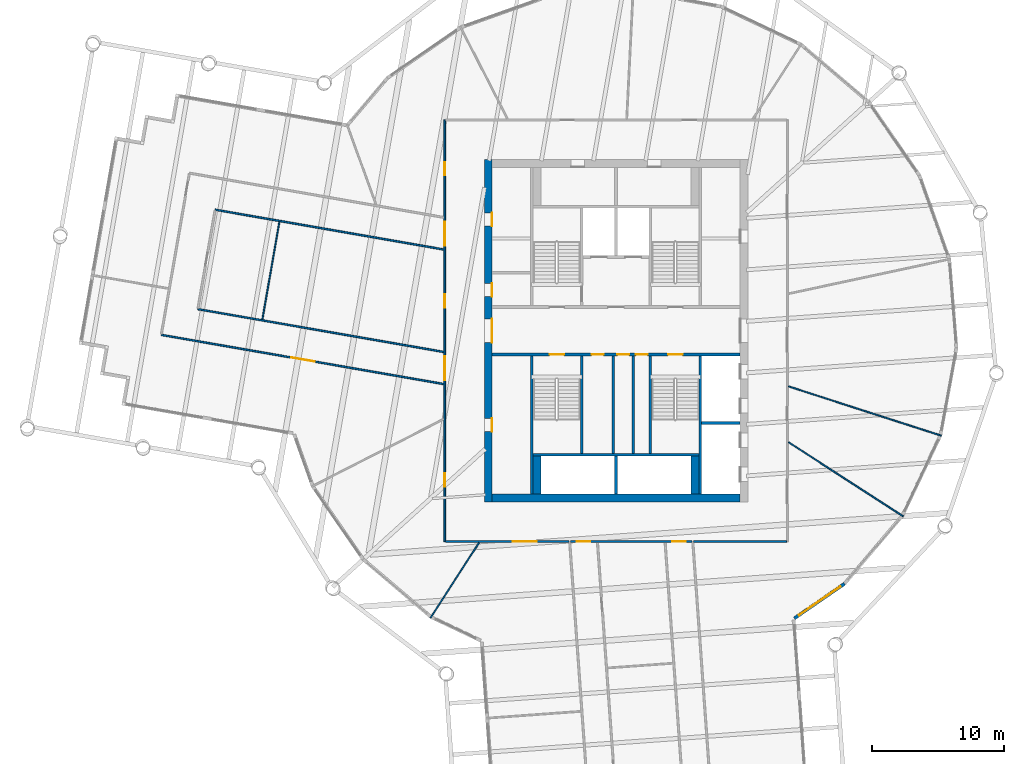
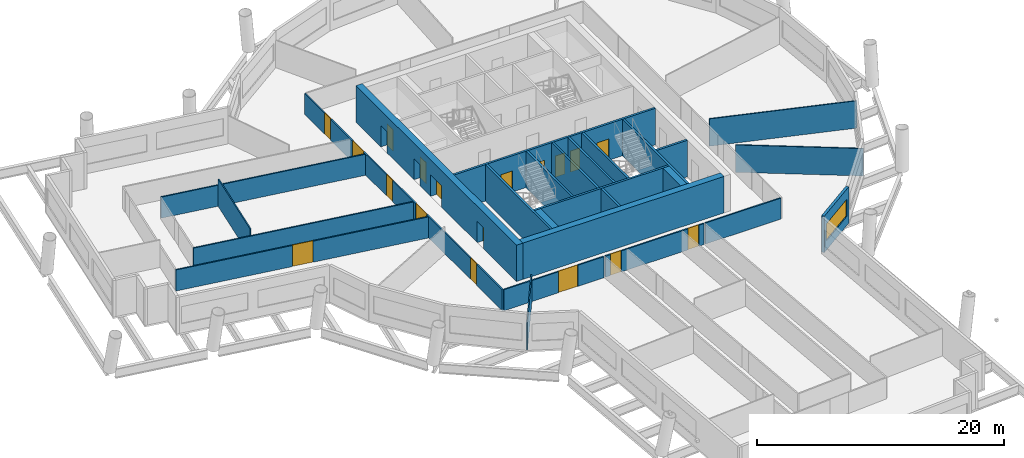
# One storey, part 4 of 11: 26 walls, 18 doors, 1 window, 19 openings.
"""IFC4 building model written with IfcOpenShell, lengths in metres."""

from ifc_helpers import new_model, si_unit, direction, frame, frame_2d, origin, place, context, subcontext, project, spatial, rectangle, extrude, material, layer, layer_set, type_object, element, fill, save


model = new_model("IFC4")

# Units and contexts
model_context = context("Model", 3, precision=1e-05, world=origin(), true_north=direction((0.0, 1.0)))
body_context = subcontext(model_context, "Body", "Model", "MODEL_VIEW")
ifc_project = project(units=[si_unit("LENGTHUNIT", "METRE"), si_unit("AREAUNIT", "SQUARE_METRE"), si_unit("VOLUMEUNIT", "CUBIC_METRE"), si_unit("PLANEANGLEUNIT", "RADIAN"), si_unit("MASSUNIT", "GRAM", prefix="KILO")], contexts=[model_context])

# Site, building, storey
site_placement = place(None, origin())
site = spatial("IfcSite", under=ifc_project, at=site_placement, CompositionType="ELEMENT")
building_placement = place(site_placement, origin())
building = spatial("IfcBuilding", under=site, at=building_placement, Name="Tarsis Ring Headquarters", CompositionType="ELEMENT")
storey_placement = place(building_placement, frame((0.0, 0.0, 243.300048828125)))
storey = spatial("IfcBuildingStorey", under=building, at=storey_placement, Name="L57", CompositionType="ELEMENT", Elevation=243.300048828125)

# Walls
ifc_material_1 = material(Name="Blockwork", Category="masonry")
ifc_layer_1 = layer(ifc_material_1, 0.199951171875)
ifc_layer_set_1 = layer_set([ifc_layer_1], Name="Core blockwork wall 200")
wall_type_1 = type_object("IfcWallType", Name="Core blockwork wall 200", PredefinedType="PARTITIONING", material=ifc_layer_set_1)
for number, where, z_axis, x_axis, name in (
    (1, (-0.199951171875, -9.300048828125, 0.0), (0.0, 0.0, 1.0), (0.0, 1.0, 0.0), "Core partition SV1"),
    (2, (1.300048828125, -9.300048828125, 0.0), (0.0, 0.0, 1.0), (0.0, 1.0, 0.0), "Core partition SV2"),
):
    element("IfcWall", number, at=place(storey_placement, frame(where, z_axis=z_axis, x_axis=x_axis)), inside=storey, type_object=wall_type_1, Name=name, PredefinedType="PARTITIONING", context=body_context, shape_type="SweptSolid", body=[
        extrude(rectangle(XDim=7.400146484375, YDim=0.199951171875, at=frame_2d((3.7001953125, 0.0))), origin(), (0.0, 0.0, 1.0), 3.599853515625),
    ])

# Wall, openings, doors
ifc_material_2 = material(Name="Concrete C50/60", Category="concrete")
ifc_layer_2 = layer(ifc_material_2, 0.60009765625)
ifc_layer_set_2 = layer_set([ifc_layer_2], Name="Core wall 600 C50/60")
wall_type_2 = type_object("IfcWallType", Name="Core wall 600 C50/60", PredefinedType="SHEAR", material=ifc_layer_set_2)
wall_1_placement = place(storey_placement, frame((-9.699951171875, -13.0, 0.0), z_axis=(0.0, 0.0, 1.0), x_axis=(0.0, 1.0, 0.0)))
wall_1 = element("IfcWall", 3, at=wall_1_placement, inside=storey, type_object=wall_type_2, Name="Core wall OW", PredefinedType="SHEAR", context=body_context, shape_type="SweptSolid", body=[
    extrude(rectangle(XDim=26.0, YDim=0.60009765625, at=frame_2d((13.0, 0.0))), origin(), (0.0, 0.0, 1.0), 3.599853515625),
])
opening_1_placement = place(wall_1_placement, frame((5.35009765625, 0.0, 0.0)))
opening_1 = element("IfcOpeningElement", 4, at=opening_1_placement, cuts=wall_1, Name="Opening L57-C01", PredefinedType="OPENING", context=body_context, shape_type="SweptSolid", body=[
    extrude(rectangle(XDim=1.0, YDim=2.10009765625, at=frame_2d((0.5, 1.050048828125))), frame((0.0, 0.31005859375, 0.0), z_axis=(0.0, -1.0, 0.0), x_axis=(1.0, 0.0, 0.0)), (0.0, 0.0, 1.0), 0.6201171875),
])
opening_2_placement = place(wall_1_placement, frame((12.10009765625, 0.0, 0.0)))
opening_2 = element("IfcOpeningElement", 5, at=opening_2_placement, cuts=wall_1, Name="Opening L57-C02", PredefinedType="OPENING", context=body_context, shape_type="SweptSolid", body=[
    extrude(rectangle(XDim=1.800048828125, YDim=2.10009765625, at=frame_2d((0.89990234375, 1.050048828125))), frame((0.0, 0.31005859375, 0.0), z_axis=(0.0, -1.0, 0.0), x_axis=(1.0, 0.0, 0.0)), (0.0, 0.0, 1.0), 0.6201171875),
])
opening_3_placement = place(wall_1_placement, frame((15.60009765625, 0.0, 0.0)))
opening_3 = element("IfcOpeningElement", 6, at=opening_3_placement, cuts=wall_1, Name="Opening L57-C03", PredefinedType="OPENING", context=body_context, shape_type="SweptSolid", body=[
    extrude(rectangle(XDim=1.0, YDim=2.10009765625, at=frame_2d((0.5, 1.050048828125))), frame((0.0, 0.31005859375, 0.0), z_axis=(0.0, -1.0, 0.0), x_axis=(1.0, 0.0, 0.0)), (0.0, 0.0, 1.0), 0.6201171875),
])
opening_4_placement = place(wall_1_placement, frame((20.949951171875, 0.0, 0.0)))
opening_4 = element("IfcOpeningElement", 7, at=opening_4_placement, cuts=wall_1, Name="Opening L57-C04", PredefinedType="OPENING", context=body_context, shape_type="SweptSolid", body=[
    extrude(rectangle(XDim=1.0, YDim=2.10009765625, at=frame_2d((0.5, 1.050048828125))), frame((0.0, 0.31005859375, 0.0), z_axis=(0.0, -1.0, 0.0), x_axis=(1.0, 0.0, 0.0)), (0.0, 0.0, 1.0), 0.6201171875),
])
ifc_material_3 = material(Name="Steel S355", Category="steel")
door_type_1 = type_object("IfcDoorType", Name="Core entry door 1800x2100", OperationType="DOUBLE_DOOR_SINGLE_SWING", PredefinedType="DOOR", material=ifc_material_3)
door_1_placement = place(opening_2_placement, origin())
door_1 = element("IfcDoor", 8, at=door_1_placement, inside=storey, type_object=door_type_1, Name="Core entry door L57", OperationType="DOUBLE_DOOR_SINGLE_SWING", OverallHeight=2.10009765625, OverallWidth=1.800048828125, PredefinedType="DOOR", context=body_context, shape_type="SweptSolid", body=[
    extrude(rectangle(XDim=1.800048828125, YDim=2.10009765625, at=frame_2d((0.89990234375, 1.050048828125))), frame((0.0, -0.25, 0.0), z_axis=(0.0, -1.0, 0.0), x_axis=(1.0, 0.0, 0.0)), (0.0, 0.0, 1.0), 0.050048828125),
])
fill(opening_2, door_1)
door_type_2 = type_object("IfcDoorType", Name="Core room door 1000x2100", OperationType="SINGLE_SWING_LEFT", PredefinedType="DOOR", material=ifc_material_3)
door_2_placement = place(opening_1_placement, origin())
door_2 = element("IfcDoor", 9, at=door_2_placement, inside=storey, type_object=door_type_2, Name="Core room door L57", OperationType="SINGLE_SWING_LEFT", OverallHeight=2.10009765625, OverallWidth=1.0, PredefinedType="DOOR", context=body_context, shape_type="SweptSolid", body=[
    extrude(rectangle(XDim=1.0, YDim=2.10009765625, at=frame_2d((0.5, 1.050048828125))), frame((0.0, -0.25, 0.0), z_axis=(0.0, -1.0, 0.0), x_axis=(1.0, 0.0, 0.0)), (0.0, 0.0, 1.0), 0.050048828125),
])
fill(opening_1, door_2)
door_3_placement = place(opening_3_placement, origin())
door_3 = element("IfcDoor", 10, at=door_3_placement, inside=storey, type_object=door_type_2, Name="Core room door L57", OperationType="SINGLE_SWING_LEFT", OverallHeight=2.10009765625, OverallWidth=1.0, PredefinedType="DOOR", context=body_context, shape_type="SweptSolid", body=[
    extrude(rectangle(XDim=1.0, YDim=2.10009765625, at=frame_2d((0.5, 1.050048828125))), frame((0.0, -0.25, 0.0), z_axis=(0.0, -1.0, 0.0), x_axis=(1.0, 0.0, 0.0)), (0.0, 0.0, 1.0), 0.050048828125),
])
fill(opening_3, door_3)
door_4_placement = place(opening_4_placement, origin())
door_4 = element("IfcDoor", 11, at=door_4_placement, inside=storey, type_object=door_type_2, Name="Core room door L57", OperationType="SINGLE_SWING_LEFT", OverallHeight=2.10009765625, OverallWidth=1.0, PredefinedType="DOOR", context=body_context, shape_type="SweptSolid", body=[
    extrude(rectangle(XDim=1.0, YDim=2.10009765625, at=frame_2d((0.5, 1.050048828125))), frame((0.0, -0.25, 0.0), z_axis=(0.0, -1.0, 0.0), x_axis=(1.0, 0.0, 0.0)), (0.0, 0.0, 1.0), 0.050048828125),
])
fill(opening_4, door_4)

# Walls
wall_2_placement = place(storey_placement, frame((-9.39990234375, -12.699951171875, 0.0), z_axis=(0.0, 0.0, 1.0), x_axis=(1.0, 0.0, 0.0)))
element("IfcWall", 12, at=wall_2_placement, inside=storey, type_object=wall_type_2, Name="Core wall OS", PredefinedType="SHEAR", context=body_context, shape_type="SweptSolid", body=[
    extrude(rectangle(XDim=18.7998046875, YDim=0.60009765625, at=frame_2d((9.39990234375, 0.0))), origin(), (0.0, 0.0, 1.0), 3.599853515625),
])
ifc_material_4 = material(Name="Gypsum board on steel studs", Category="steel")
ifc_layer_3 = layer(ifc_material_4, 0.10009765625)
ifc_layer_set_3 = layer_set([ifc_layer_3], Name="FL partition 100 unrated")
wall_type_3 = type_object("IfcWallType", Name="FL partition 100 unrated", PredefinedType="PARTITIONING", material=ifc_layer_set_3)
wall_3_placement = place(storey_placement, frame((13.076171875, -4.218505859375, 0.0), z_axis=(0.0, 0.0, 1.0), x_axis=(0.951704470972, -0.307015634671, 0.0)))
element("IfcWall", 13, at=wall_3_placement, inside=storey, type_object=wall_type_3, Name="Partition PW3", PredefinedType="PARTITIONING", context=body_context, shape_type="SweptSolid", body=[
    extrude(rectangle(XDim=12.2080078125, YDim=0.10009765625, at=frame_2d((6.10400390625, 0.0))), origin(), (0.0, 0.0, 1.0), 2.699951171875),
])
wall_4_placement = place(storey_placement, frame((13.083984375, -8.4580078125, 0.0), z_axis=(0.0, 0.0, 1.0), x_axis=(0.839810141538, -0.542880213463, 0.0)))
element("IfcWall", 14, at=wall_4_placement, inside=storey, type_object=wall_type_3, Name="Partition PW3", PredefinedType="PARTITIONING", context=body_context, shape_type="SweptSolid", body=[
    extrude(rectangle(XDim=10.3681640625, YDim=0.10009765625, at=frame_2d((5.18408203125, 0.0))), origin(), (0.0, 0.0, 1.0), 2.699951171875),
])
wall_5_placement = place(storey_placement, frame((-26.8408203125, 0.858154296875, 0.0), z_axis=(0.0, 0.0, 1.0), x_axis=(0.171580938897, 0.985170026649, 0.0)))
element("IfcWall", 15, at=wall_5_placement, inside=storey, type_object=wall_type_3, Name="Partition PW3", PredefinedType="PARTITIONING", context=body_context, shape_type="SweptSolid", body=[
    extrude(rectangle(XDim=7.52001953125, YDim=0.10009765625, at=frame_2d((3.760009765625, 0.0))), origin(), (0.0, 0.0, 1.0), 2.699951171875),
])
wall_6_placement = place(storey_placement, frame((-14.086669921875, -21.791259765625, 0.0), z_axis=(0.0, 0.0, 1.0), x_axis=(0.542889267612, 0.839804288577, 0.0)))
element("IfcWall", 16, at=wall_6_placement, inside=storey, type_object=wall_type_3, Name="Partition PW3", PredefinedType="PARTITIONING", context=body_context, shape_type="SweptSolid", body=[
    extrude(rectangle(XDim=6.7958984375, YDim=0.10009765625, at=frame_2d((3.39794921875, 0.0))), origin(), (0.0, 0.0, 1.0), 2.699951171875),
])

# Wall, openings, doors
ifc_layer_4 = layer(ifc_material_4, 0.125)
ifc_layer_set_4 = layer_set([ifc_layer_4], Name="FL partition 125 EI 60 H2080")
wall_type_4 = type_object("IfcWallType", Name="FL partition 125 EI 60 H2080", PredefinedType="PARTITIONING", material=ifc_layer_set_4)
wall_7_placement = place(storey_placement, frame((-13.0, -16.0, 0.0), z_axis=(0.0, 0.0, 1.0), x_axis=(0.0, 1.0, 0.0)))
wall_7 = element("IfcWall", 17, at=wall_7_placement, inside=storey, type_object=wall_type_4, Name="Partition PW1H208", PredefinedType="PARTITIONING", context=body_context, shape_type="SweptSolid", body=[
    extrude(rectangle(XDim=32.0, YDim=0.125, at=frame_2d((16.0, 0.0))), origin(), (0.0, 0.0, 1.0), 2.079833984375),
])
opening_5_placement = place(wall_7_placement, frame((27.7939453125, 0.0, 0.0)))
opening_5 = element("IfcOpeningElement", 18, at=opening_5_placement, cuts=wall_7, Name="Opening D57.03", PredefinedType="OPENING", context=body_context, shape_type="SweptSolid", body=[
    extrude(rectangle(XDim=1.0, YDim=2.10009765625, at=frame_2d((0.5, 1.050048828125))), frame((0.0, 0.072509765625, 0.0), z_axis=(0.0, -1.0, 0.0), x_axis=(1.0, 0.0, 0.0)), (0.0, 0.0, 1.0), 0.14501953125),
])
opening_6_placement = place(wall_7_placement, frame((4.1708984375, 0.0, 0.0)))
opening_6 = element("IfcOpeningElement", 19, at=opening_6_placement, cuts=wall_7, Name="Opening D57.13", PredefinedType="OPENING", context=body_context, shape_type="SweptSolid", body=[
    extrude(rectangle(XDim=1.0, YDim=2.10009765625, at=frame_2d((0.5, 1.050048828125))), frame((0.0, 0.072509765625, 0.0), z_axis=(0.0, -1.0, 0.0), x_axis=(1.0, 0.0, 0.0)), (0.0, 0.0, 1.0), 0.14501953125),
])
opening_7_placement = place(wall_7_placement, frame((17.76416015625, 0.0, 0.0)))
opening_7 = element("IfcOpeningElement", 20, at=opening_7_placement, cuts=wall_7, Name="Opening D57.14", PredefinedType="OPENING", context=body_context, shape_type="SweptSolid", body=[
    extrude(rectangle(XDim=1.0, YDim=2.10009765625, at=frame_2d((0.5, 1.050048828125))), frame((0.0, 0.072509765625, 0.0), z_axis=(0.0, -1.0, 0.0), x_axis=(1.0, 0.0, 0.0)), (0.0, 0.0, 1.0), 0.14501953125),
])
opening_8_placement = place(wall_7_placement, frame((12.258544921875, 0.0, 0.0)))
opening_8 = element("IfcOpeningElement", 21, at=opening_8_placement, cuts=wall_7, Name="Opening D57.20", PredefinedType="OPENING", context=body_context, shape_type="SweptSolid", body=[
    extrude(rectangle(XDim=1.800048828125, YDim=2.10009765625, at=frame_2d((0.89990234375, 1.050048828125))), frame((0.0, 0.072509765625, 0.0), z_axis=(0.0, -1.0, 0.0), x_axis=(1.0, 0.0, 0.0)), (0.0, 0.0, 1.0), 0.14501953125),
])
opening_9_placement = place(wall_7_placement, frame((22.469970703125, 0.0, 0.0)))
opening_9 = element("IfcOpeningElement", 22, at=opening_9_placement, cuts=wall_7, Name="Opening D57.21", PredefinedType="OPENING", context=body_context, shape_type="SweptSolid", body=[
    extrude(rectangle(XDim=1.800048828125, YDim=2.10009765625, at=frame_2d((0.89990234375, 1.050048828125))), frame((0.0, 0.072509765625, 0.0), z_axis=(0.0, -1.0, 0.0), x_axis=(1.0, 0.0, 0.0)), (0.0, 0.0, 1.0), 0.14501953125),
])
ifc_material_5 = material(Name="Fire-rated timber door leaf in steel frame", Category="steel")
door_type_3 = type_object("IfcDoorType", Name="FL door FD60-1000", OperationType="NOTDEFINED", PredefinedType="DOOR", material=ifc_material_5)
door_5_placement = place(opening_5_placement, origin())
door_5 = element("IfcDoor", 23, at=door_5_placement, inside=storey, type_object=door_type_3, Name="Door D57.03", OperationType="SINGLE_SWING_RIGHT", OverallHeight=2.10009765625, OverallWidth=1.0, PredefinedType="DOOR", context=body_context, shape_type="SweptSolid", body=[
    extrude(rectangle(XDim=1.0, YDim=2.10009765625, at=frame_2d((0.5, 1.050048828125))), frame((0.0, 0.02490234375, 0.0), z_axis=(0.0, -1.0, 0.0), x_axis=(1.0, 0.0, 0.0)), (0.0, 0.0, 1.0), 0.050048828125),
])
fill(opening_5, door_5)
door_6_placement = place(opening_6_placement, origin())
door_6 = element("IfcDoor", 24, at=door_6_placement, inside=storey, type_object=door_type_3, Name="Door D57.13", OperationType="SINGLE_SWING_RIGHT", OverallHeight=2.10009765625, OverallWidth=1.0, PredefinedType="DOOR", context=body_context, shape_type="SweptSolid", body=[
    extrude(rectangle(XDim=1.0, YDim=2.10009765625, at=frame_2d((0.5, 1.050048828125))), frame((0.0, 0.02490234375, 0.0), z_axis=(0.0, -1.0, 0.0), x_axis=(1.0, 0.0, 0.0)), (0.0, 0.0, 1.0), 0.050048828125),
])
fill(opening_6, door_6)
door_7_placement = place(opening_7_placement, origin())
door_7 = element("IfcDoor", 25, at=door_7_placement, inside=storey, type_object=door_type_3, Name="Door D57.14", OperationType="SINGLE_SWING_LEFT", OverallHeight=2.10009765625, OverallWidth=1.0, PredefinedType="DOOR", context=body_context, shape_type="SweptSolid", body=[
    extrude(rectangle(XDim=1.0, YDim=2.10009765625, at=frame_2d((0.5, 1.050048828125))), frame((0.0, 0.02490234375, 0.0), z_axis=(0.0, -1.0, 0.0), x_axis=(1.0, 0.0, 0.0)), (0.0, 0.0, 1.0), 0.050048828125),
])
fill(opening_7, door_7)
door_type_4 = type_object("IfcDoorType", Name="FL door FD60-1800", OperationType="DOUBLE_DOOR_SINGLE_SWING", PredefinedType="DOOR", material=ifc_material_5)
door_8_placement = place(opening_8_placement, origin())
door_8 = element("IfcDoor", 26, at=door_8_placement, inside=storey, type_object=door_type_4, Name="Door D57.20", OperationType="DOUBLE_DOOR_SINGLE_SWING", OverallHeight=2.10009765625, OverallWidth=1.800048828125, PredefinedType="DOOR", context=body_context, shape_type="SweptSolid", body=[
    extrude(rectangle(XDim=1.800048828125, YDim=2.10009765625, at=frame_2d((0.89990234375, 1.050048828125))), frame((0.0, 0.02490234375, 0.0), z_axis=(0.0, -1.0, 0.0), x_axis=(1.0, 0.0, 0.0)), (0.0, 0.0, 1.0), 0.050048828125),
])
fill(opening_8, door_8)
door_9_placement = place(opening_9_placement, origin())
door_9 = element("IfcDoor", 27, at=door_9_placement, inside=storey, type_object=door_type_4, Name="Door D57.21", OperationType="DOUBLE_DOOR_SINGLE_SWING", OverallHeight=2.10009765625, OverallWidth=1.800048828125, PredefinedType="DOOR", context=body_context, shape_type="SweptSolid", body=[
    extrude(rectangle(XDim=1.800048828125, YDim=2.10009765625, at=frame_2d((0.89990234375, 1.050048828125))), frame((0.0, 0.02490234375, 0.0), z_axis=(0.0, -1.0, 0.0), x_axis=(1.0, 0.0, 0.0)), (0.0, 0.0, 1.0), 0.050048828125),
])
fill(opening_9, door_9)

# Wall, opening, door
wall_8_placement = place(storey_placement, frame((-12.93994140625, -16.0, 0.0), z_axis=(0.0, 0.0, 1.0), x_axis=(1.0, 0.0, 0.0)))
wall_8 = element("IfcWall", 28, at=wall_8_placement, inside=storey, type_object=wall_type_4, Name="Partition PW1H208", PredefinedType="PARTITIONING", context=body_context, shape_type="SweptSolid", body=[
    extrude(rectangle(XDim=9.358154296875, YDim=0.125, at=frame_2d((4.67919921875, 0.0))), origin(), (0.0, 0.0, 1.0), 2.079833984375),
])
opening_10_placement = place(wall_8_placement, frame((5.108642578125, 0.0, 0.0)))
opening_10 = element("IfcOpeningElement", 29, at=opening_10_placement, cuts=wall_8, Name="Opening D57.12", PredefinedType="OPENING", context=body_context, shape_type="SweptSolid", body=[
    extrude(rectangle(XDim=1.800048828125, YDim=2.10009765625, at=frame_2d((0.89990234375, 1.050048828125))), frame((0.0, 0.072509765625, 0.0), z_axis=(0.0, -1.0, 0.0), x_axis=(1.0, 0.0, 0.0)), (0.0, 0.0, 1.0), 0.14501953125),
])
door_10_placement = place(opening_10_placement, origin())
door_10 = element("IfcDoor", 30, at=door_10_placement, inside=storey, type_object=door_type_4, Name="Door D57.12", OperationType="DOUBLE_DOOR_SINGLE_SWING", OverallHeight=2.10009765625, OverallWidth=1.800048828125, PredefinedType="DOOR", context=body_context, shape_type="SweptSolid", body=[
    extrude(rectangle(XDim=1.800048828125, YDim=2.10009765625, at=frame_2d((0.89990234375, 1.050048828125))), frame((0.0, 0.02490234375, 0.0), z_axis=(0.0, -1.0, 0.0), x_axis=(1.0, 0.0, 0.0)), (0.0, 0.0, 1.0), 0.050048828125),
])
fill(opening_10, door_10)

# Wall, openings, doors
wall_9_placement = place(storey_placement, frame((-3.452392578125, -16.0, 0.0), z_axis=(0.0, 0.0, 1.0), x_axis=(1.0, 0.0, 0.0)))
wall_9 = element("IfcWall", 31, at=wall_9_placement, inside=storey, type_object=wall_type_4, Name="Partition PW1H208", PredefinedType="PARTITIONING", context=body_context, shape_type="SweptSolid", body=[
    extrude(rectangle(XDim=9.214599609375, YDim=0.125, at=frame_2d((4.607421875, 0.0))), origin(), (0.0, 0.0, 1.0), 2.079833984375),
])
opening_11_placement = place(wall_9_placement, frame((0.485595703125, 0.0, 0.0)))
opening_11 = element("IfcOpeningElement", 32, at=opening_11_placement, cuts=wall_9, Name="Opening D57.18", PredefinedType="OPENING", context=body_context, shape_type="SweptSolid", body=[
    extrude(rectangle(XDim=1.0, YDim=2.10009765625, at=frame_2d((0.5, 1.050048828125))), frame((0.0, 0.072509765625, 0.0), z_axis=(0.0, -1.0, 0.0), x_axis=(1.0, 0.0, 0.0)), (0.0, 0.0, 1.0), 0.14501953125),
])
opening_12_placement = place(wall_9_placement, frame((7.724365234375, 0.0, 0.0)))
opening_12 = element("IfcOpeningElement", 33, at=opening_12_placement, cuts=wall_9, Name="Opening D57.19", PredefinedType="OPENING", context=body_context, shape_type="SweptSolid", body=[
    extrude(rectangle(XDim=1.0, YDim=2.10009765625, at=frame_2d((0.5, 1.050048828125))), frame((0.0, 0.072509765625, 0.0), z_axis=(0.0, -1.0, 0.0), x_axis=(1.0, 0.0, 0.0)), (0.0, 0.0, 1.0), 0.14501953125),
])
door_11_placement = place(opening_11_placement, origin())
door_11 = element("IfcDoor", 34, at=door_11_placement, inside=storey, type_object=door_type_3, Name="Door D57.18", OperationType="SINGLE_SWING_LEFT", OverallHeight=2.10009765625, OverallWidth=1.0, PredefinedType="DOOR", context=body_context, shape_type="SweptSolid", body=[
    extrude(rectangle(XDim=1.0, YDim=2.10009765625, at=frame_2d((0.5, 1.050048828125))), frame((0.0, 0.02490234375, 0.0), z_axis=(0.0, -1.0, 0.0), x_axis=(1.0, 0.0, 0.0)), (0.0, 0.0, 1.0), 0.050048828125),
])
fill(opening_11, door_11)
door_12_placement = place(opening_12_placement, origin())
door_12 = element("IfcDoor", 35, at=door_12_placement, inside=storey, type_object=door_type_3, Name="Door D57.19", OperationType="SINGLE_SWING_RIGHT", OverallHeight=2.10009765625, OverallWidth=1.0, PredefinedType="DOOR", context=body_context, shape_type="SweptSolid", body=[
    extrude(rectangle(XDim=1.0, YDim=2.10009765625, at=frame_2d((0.5, 1.050048828125))), frame((0.0, 0.02490234375, 0.0), z_axis=(0.0, -1.0, 0.0), x_axis=(1.0, 0.0, 0.0)), (0.0, 0.0, 1.0), 0.050048828125),
])
fill(opening_12, door_12)

# Wall
wall_10_placement = place(storey_placement, frame((5.8916015625, -16.0, 0.0), z_axis=(0.0, 0.0, 1.0), x_axis=(1.0, 0.0, 0.0)))
element("IfcWall", 36, at=wall_10_placement, inside=storey, type_object=wall_type_4, Name="Partition PW1H208", PredefinedType="PARTITIONING", context=body_context, shape_type="SweptSolid", body=[
    extrude(rectangle(XDim=7.04638671875, YDim=0.125, at=frame_2d((3.523193359375, 0.0))), origin(), (0.0, 0.0, 1.0), 2.079833984375),
])

# Wall, opening, door
wall_11_placement = place(storey_placement, frame((-34.515380859375, -0.312255859375, 0.0), z_axis=(0.0, 0.0, 1.0), x_axis=(0.985168592237, -0.171589174687, 0.0)))
wall_11 = element("IfcWall", 37, at=wall_11_placement, inside=storey, type_object=wall_type_4, Name="Partition PW1H208", PredefinedType="PARTITIONING", context=body_context, shape_type="SweptSolid", body=[
    extrude(rectangle(XDim=21.76904296875, YDim=0.125, at=frame_2d((10.884521484375, 0.0))), origin(), (0.0, 0.0, 1.0), 2.079833984375),
])
opening_13_placement = place(wall_11_placement, frame((10.019775390625, 0.0, 0.0)))
opening_13 = element("IfcOpeningElement", 38, at=opening_13_placement, cuts=wall_11, Name="Opening D57.01", PredefinedType="OPENING", context=body_context, shape_type="SweptSolid", body=[
    extrude(rectangle(XDim=1.800048828125, YDim=2.10009765625, at=frame_2d((0.89990234375, 1.050048828125))), frame((0.0, 0.072509765625, 0.0), z_axis=(0.0, -1.0, 0.0), x_axis=(1.0, 0.0, 0.0)), (0.0, 0.0, 1.0), 0.14501953125),
])
door_13_placement = place(opening_13_placement, origin())
door_13 = element("IfcDoor", 39, at=door_13_placement, inside=storey, type_object=door_type_4, Name="Door D57.01", OperationType="DOUBLE_DOOR_SINGLE_SWING", OverallHeight=2.10009765625, OverallWidth=1.800048828125, PredefinedType="DOOR", context=body_context, shape_type="SweptSolid", body=[
    extrude(rectangle(XDim=1.800048828125, YDim=2.10009765625, at=frame_2d((0.89990234375, 1.050048828125))), frame((0.0, 0.02490234375, 0.0), z_axis=(0.0, -1.0, 0.0), x_axis=(1.0, 0.0, 0.0)), (0.0, 0.0, 1.0), 0.050048828125),
])
fill(opening_13, door_13)

# Walls
wall_12_placement = place(storey_placement, frame((-31.7392578125, 1.640380859375, 0.0), z_axis=(0.0, 0.0, 1.0), x_axis=(0.985167472168, -0.171595605368, 0.0)))
element("IfcWall", 40, at=wall_12_placement, inside=storey, type_object=wall_type_4, Name="Partition PW1H208", PredefinedType="PARTITIONING", context=body_context, shape_type="SweptSolid", body=[
    extrude(rectangle(XDim=18.951171875, YDim=0.125, at=frame_2d((9.4755859375, 0.0))), origin(), (0.0, 0.0, 1.0), 2.079833984375),
])
wall_13_placement = place(storey_placement, frame((-30.4248046875, 9.186767578125, 0.0), z_axis=(0.0, 0.0, 1.0), x_axis=(0.985167986646, -0.171592651615, 0.0)))
element("IfcWall", 41, at=wall_13_placement, inside=storey, type_object=wall_type_4, Name="Partition PW1H208", PredefinedType="PARTITIONING", context=body_context, shape_type="SweptSolid", body=[
    extrude(rectangle(XDim=17.616943359375, YDim=0.125, at=frame_2d((8.80859375, 0.0))), origin(), (0.0, 0.0, 1.0), 2.079833984375),
])

# Wall, opening, window
ifc_material_6 = material(Name="Terracotta clad insulated panel wall", Category="masonry")
ifc_layer_5 = layer(ifc_material_6, 0.25)
ifc_layer_set_5 = layer_set([ifc_layer_5], Name="Facade wall terracotta panel 250")
wall_type_5 = type_object("IfcWallType", Name="Facade wall terracotta panel 250", PredefinedType="STANDARD", material=ifc_layer_set_5)
wall_14_placement = place(storey_placement, frame((13.53955078125, -21.82470703125, 0.0), z_axis=(0.0, 0.0, 1.0), x_axis=(0.82294515882, 0.568120819522, 0.0)))
wall_14 = element("IfcWall", 42, at=wall_14_placement, inside=storey, type_object=wall_type_5, Name="External wall L57-17", PredefinedType="STANDARD", context=body_context, shape_type="SweptSolid", body=[
    extrude(rectangle(XDim=4.617919921875, YDim=0.25, at=frame_2d((2.30908203125, 0.0))), origin(), (0.0, 0.0, 1.0), 3.599853515625),
])
opening_14_placement = place(wall_14_placement, frame((0.400390625, 0.0, 0.89990234375)))
opening_14 = element("IfcOpeningElement", 43, at=opening_14_placement, cuts=wall_14, Name="Opening WN02", PredefinedType="OPENING", context=body_context, shape_type="SweptSolid", body=[
    extrude(rectangle(XDim=3.85009765625, YDim=1.699951171875, at=frame_2d((1.925048828125, 0.85009765625))), frame((0.0, 0.135009765625, 0.0), z_axis=(0.0, -1.0, 0.0), x_axis=(1.0, 0.0, 0.0)), (0.0, 0.0, 1.0), 0.27001953125),
])
ifc_material_7 = material(Name="Aluminium framed double glazing", Category="aluminium")
window_type = type_object("IfcWindowType", Name="Facade window 3850 x 1700", PartitioningType="SINGLE_PANEL", PredefinedType="WINDOW", material=ifc_material_7)
window_placement = place(opening_14_placement, origin())
window = element("IfcWindow", 44, at=window_placement, inside=storey, type_object=window_type, Name="Window L57-17.1", OverallHeight=1.699951171875, OverallWidth=3.85009765625, PartitioningType="SINGLE_PANEL", PredefinedType="WINDOW", context=body_context, shape_type="SweptSolid", body=[
    extrude(rectangle(XDim=3.85009765625, YDim=1.699951171875, at=frame_2d((1.925048828125, 0.85009765625))), frame((0.0, 0.030029296875, 0.0), z_axis=(0.0, -1.0, 0.0), x_axis=(1.0, 0.0, 0.0)), (0.0, 0.0, 1.0), 0.06005859375),
])
fill(opening_14, window)

# Walls
ifc_material_8 = material(Name="Concrete C32/40", Category="concrete")
ifc_layer_6 = layer(ifc_material_8, 0.60009765625)
ifc_layer_set_6 = layer_set([ifc_layer_6], Name="Shaft end wall 600 C32/40")
wall_type_6 = type_object("IfcWallType", Name="Shaft end wall 600 C32/40", PredefinedType="SOLIDWALL", material=ifc_layer_set_6)
for number, where, z_axis, x_axis, name in (
    (45, (-6.0, -12.39990234375, 0.0), (0.0, 0.0, 1.0), (0.0, 1.0, 0.0), "Core shaft wall SNE1"),
    (46, (6.0, -12.39990234375, 0.0), (0.0, 0.0, 1.0), (0.0, 1.0, 0.0), "Core shaft wall SNE2"),
):
    element("IfcWall", number, at=place(storey_placement, frame(where, z_axis=z_axis, x_axis=x_axis)), inside=storey, type_object=wall_type_6, Name=name, PredefinedType="SOLIDWALL", context=body_context, shape_type="SweptSolid", body=[
        extrude(rectangle(XDim=2.89990234375, YDim=0.60009765625, at=frame_2d((1.449951171875, 0.0))), origin(), (0.0, 0.0, 1.0), 3.599853515625),
    ])

# Wall, openings, doors
ifc_layer_7 = layer(ifc_material_8, 0.199951171875)
ifc_layer_set_7 = layer_set([ifc_layer_7], Name="Shaft wall 200 C32/40")
wall_type_7 = type_object("IfcWallType", Name="Shaft wall 200 C32/40", PredefinedType="SOLIDWALL", material=ifc_layer_set_7)
wall_15_placement = place(storey_placement, frame((-9.39990234375, -1.800048828125, 0.0), z_axis=(0.0, 0.0, 1.0), x_axis=(1.0, 0.0, 0.0)))
wall_15 = element("IfcWall", 47, at=wall_15_placement, inside=storey, type_object=wall_type_7, Name="Core shaft wall CS", PredefinedType="SOLIDWALL", context=body_context, shape_type="SweptSolid", body=[
    extrude(rectangle(XDim=18.7998046875, YDim=0.199951171875, at=frame_2d((9.39990234375, 0.0))), origin(), (0.0, 0.0, 1.0), 3.599853515625),
])
opening_15_placement = place(wall_15_placement, frame((4.35009765625, 0.0, 0.0)))
opening_15 = element("IfcOpeningElement", 48, at=opening_15_placement, cuts=wall_15, Name="Opening L57-C16", PredefinedType="OPENING", context=body_context, shape_type="SweptSolid", body=[
    extrude(rectangle(XDim=1.10009765625, YDim=2.10009765625, at=frame_2d((0.550048828125, 1.050048828125))), frame((0.0, 0.10986328125, 0.0), z_axis=(0.0, -1.0, 0.0), x_axis=(1.0, 0.0, 0.0)), (0.0, 0.0, 1.0), 0.219970703125),
])
opening_16_placement = place(wall_15_placement, frame((7.550048828125, 0.0, 0.0)))
opening_16 = element("IfcOpeningElement", 49, at=opening_16_placement, cuts=wall_15, Name="Opening L57-C17", PredefinedType="OPENING", context=body_context, shape_type="SweptSolid", body=[
    extrude(rectangle(XDim=0.89990234375, YDim=2.10009765625, at=frame_2d((0.449951171875, 1.050048828125))), frame((0.0, 0.10986328125, 0.0), z_axis=(0.0, -1.0, 0.0), x_axis=(1.0, 0.0, 0.0)), (0.0, 0.0, 1.0), 0.219970703125),
])
opening_17_placement = place(wall_15_placement, frame((9.5, 0.0, 0.0)))
opening_17 = element("IfcOpeningElement", 50, at=opening_17_placement, cuts=wall_15, Name="Opening L57-C18", PredefinedType="OPENING", context=body_context, shape_type="SweptSolid", body=[
    extrude(rectangle(XDim=0.89990234375, YDim=2.10009765625, at=frame_2d((0.449951171875, 1.050048828125))), frame((0.0, 0.10986328125, 0.0), z_axis=(0.0, -1.0, 0.0), x_axis=(1.0, 0.0, 0.0)), (0.0, 0.0, 1.0), 0.219970703125),
])
opening_18_placement = place(wall_15_placement, frame((10.89990234375, 0.0, 0.0)))
opening_18 = element("IfcOpeningElement", 51, at=opening_18_placement, cuts=wall_15, Name="Opening L57-C19", PredefinedType="OPENING", context=body_context, shape_type="SweptSolid", body=[
    extrude(rectangle(XDim=0.89990234375, YDim=2.10009765625, at=frame_2d((0.449951171875, 1.050048828125))), frame((0.0, 0.10986328125, 0.0), z_axis=(0.0, -1.0, 0.0), x_axis=(1.0, 0.0, 0.0)), (0.0, 0.0, 1.0), 0.219970703125),
])
opening_19_placement = place(wall_15_placement, frame((13.35009765625, 0.0, 0.0)))
opening_19 = element("IfcOpeningElement", 52, at=opening_19_placement, cuts=wall_15, Name="Opening L57-C20", PredefinedType="OPENING", context=body_context, shape_type="SweptSolid", body=[
    extrude(rectangle(XDim=1.10009765625, YDim=2.10009765625, at=frame_2d((0.550048828125, 1.050048828125))), frame((0.0, 0.10986328125, 0.0), z_axis=(0.0, -1.0, 0.0), x_axis=(1.0, 0.0, 0.0)), (0.0, 0.0, 1.0), 0.219970703125),
])
door_type_5 = type_object("IfcDoorType", Name="Stair door 1100x2100", OperationType="SINGLE_SWING_LEFT", PredefinedType="DOOR", material=ifc_material_3)
door_14_placement = place(opening_15_placement, origin())
door_14 = element("IfcDoor", 53, at=door_14_placement, inside=storey, type_object=door_type_5, Name="Stair door L57", OperationType="SINGLE_SWING_LEFT", OverallHeight=2.10009765625, OverallWidth=1.10009765625, PredefinedType="DOOR", context=body_context, shape_type="SweptSolid", body=[
    extrude(rectangle(XDim=1.10009765625, YDim=2.10009765625, at=frame_2d((0.550048828125, 1.050048828125))), frame((0.0, 0.02490234375, 0.0), z_axis=(0.0, -1.0, 0.0), x_axis=(1.0, 0.0, 0.0)), (0.0, 0.0, 1.0), 0.050048828125),
])
fill(opening_15, door_14)
door_15_placement = place(opening_19_placement, origin())
door_15 = element("IfcDoor", 54, at=door_15_placement, inside=storey, type_object=door_type_5, Name="Stair door L57", OperationType="SINGLE_SWING_LEFT", OverallHeight=2.10009765625, OverallWidth=1.10009765625, PredefinedType="DOOR", context=body_context, shape_type="SweptSolid", body=[
    extrude(rectangle(XDim=1.10009765625, YDim=2.10009765625, at=frame_2d((0.550048828125, 1.050048828125))), frame((0.0, 0.02490234375, 0.0), z_axis=(0.0, -1.0, 0.0), x_axis=(1.0, 0.0, 0.0)), (0.0, 0.0, 1.0), 0.050048828125),
])
fill(opening_19, door_15)
door_type_6 = type_object("IfcDoorType", Name="WC door 900x2100", OperationType="SINGLE_SWING_LEFT", PredefinedType="DOOR", material=ifc_material_3)
door_16_placement = place(opening_16_placement, origin())
door_16 = element("IfcDoor", 55, at=door_16_placement, inside=storey, type_object=door_type_6, Name="WC door L57", OperationType="SINGLE_SWING_LEFT", OverallHeight=2.10009765625, OverallWidth=0.89990234375, PredefinedType="DOOR", context=body_context, shape_type="SweptSolid", body=[
    extrude(rectangle(XDim=0.89990234375, YDim=2.10009765625, at=frame_2d((0.449951171875, 1.050048828125))), frame((0.0, 0.02490234375, 0.0), z_axis=(0.0, -1.0, 0.0), x_axis=(1.0, 0.0, 0.0)), (0.0, 0.0, 1.0), 0.050048828125),
])
fill(opening_16, door_16)
door_17_placement = place(opening_17_placement, origin())
door_17 = element("IfcDoor", 56, at=door_17_placement, inside=storey, type_object=door_type_6, Name="WC door L57", OperationType="SINGLE_SWING_LEFT", OverallHeight=2.10009765625, OverallWidth=0.89990234375, PredefinedType="DOOR", context=body_context, shape_type="SweptSolid", body=[
    extrude(rectangle(XDim=0.89990234375, YDim=2.10009765625, at=frame_2d((0.449951171875, 1.050048828125))), frame((0.0, 0.02490234375, 0.0), z_axis=(0.0, -1.0, 0.0), x_axis=(1.0, 0.0, 0.0)), (0.0, 0.0, 1.0), 0.050048828125),
])
fill(opening_17, door_17)
door_18_placement = place(opening_18_placement, origin())
door_18 = element("IfcDoor", 57, at=door_18_placement, inside=storey, type_object=door_type_6, Name="WC door L57", OperationType="SINGLE_SWING_LEFT", OverallHeight=2.10009765625, OverallWidth=0.89990234375, PredefinedType="DOOR", context=body_context, shape_type="SweptSolid", body=[
    extrude(rectangle(XDim=0.89990234375, YDim=2.10009765625, at=frame_2d((0.449951171875, 1.050048828125))), frame((0.0, 0.02490234375, 0.0), z_axis=(0.0, -1.0, 0.0), x_axis=(1.0, 0.0, 0.0)), (0.0, 0.0, 1.0), 0.050048828125),
])
fill(opening_18, door_18)

# Walls
for number, where, z_axis, x_axis, name in (
    (58, (-6.39990234375, -12.39990234375, 0.0), (0.0, 0.0, 1.0), (0.0, 1.0, 0.0), "Core shaft wall WB1"),
    (59, (6.39990234375, -12.39990234375, 0.0), (0.0, 0.0, 1.0), (0.0, 1.0, 0.0), "Core shaft wall EB1"),
):
    element("IfcWall", number, at=place(storey_placement, frame(where, z_axis=z_axis, x_axis=x_axis)), inside=storey, type_object=wall_type_7, Name=name, PredefinedType="SOLIDWALL", context=body_context, shape_type="SweptSolid", body=[
        extrude(rectangle(XDim=10.5, YDim=0.199951171875, at=frame_2d((5.25, 0.0))), origin(), (0.0, 0.0, 1.0), 3.599853515625),
    ])
wall_16_placement = place(storey_placement, frame((-6.300048828125, -9.39990234375, 0.0), z_axis=(0.0, 0.0, 1.0), x_axis=(1.0, 0.0, 0.0)))
element("IfcWall", 60, at=wall_16_placement, inside=storey, type_object=wall_type_7, Name="Core shaft wall SB", PredefinedType="SOLIDWALL", context=body_context, shape_type="SweptSolid", body=[
    extrude(rectangle(XDim=12.60009765625, YDim=0.199951171875, at=frame_2d((6.300048828125, 0.0))), origin(), (0.0, 0.0, 1.0), 3.599853515625),
])
for number, where, z_axis, x_axis, name in (
    (61, (-2.60009765625, -9.300048828125, 0.0), (0.0, 0.0, 1.0), (0.0, 1.0, 0.0), "Core shaft wall SW3"),
    (62, (2.60009765625, -9.300048828125, 0.0), (0.0, 0.0, 1.0), (0.0, 1.0, 0.0), "Core shaft wall SW4"),
):
    element("IfcWall", number, at=place(storey_placement, frame(where, z_axis=z_axis, x_axis=x_axis)), inside=storey, type_object=wall_type_7, Name=name, PredefinedType="SOLIDWALL", context=body_context, shape_type="SweptSolid", body=[
        extrude(rectangle(XDim=7.400146484375, YDim=0.199951171875, at=frame_2d((3.7001953125, 0.0))), origin(), (0.0, 0.0, 1.0), 3.599853515625),
    ])
for number, where, z_axis, x_axis, name in (
    (63, (6.5, -7.0, 0.0), (0.0, 0.0, 1.0), (1.0, 0.0, 0.0), "Core shaft wall ED2"),
    (64, (0.0, -12.39990234375, 0.0), (0.0, 0.0, 1.0), (0.0, 1.0, 0.0), "Core shaft wall SD2"),
):
    element("IfcWall", number, at=place(storey_placement, frame(where, z_axis=z_axis, x_axis=x_axis)), inside=storey, type_object=wall_type_7, Name=name, PredefinedType="SOLIDWALL", context=body_context, shape_type="SweptSolid", body=[
        extrude(rectangle(XDim=2.89990234375, YDim=0.199951171875, at=frame_2d((1.449951171875, 0.0))), origin(), (0.0, 0.0, 1.0), 3.599853515625),
    ])

save(model, "model.ifc")
